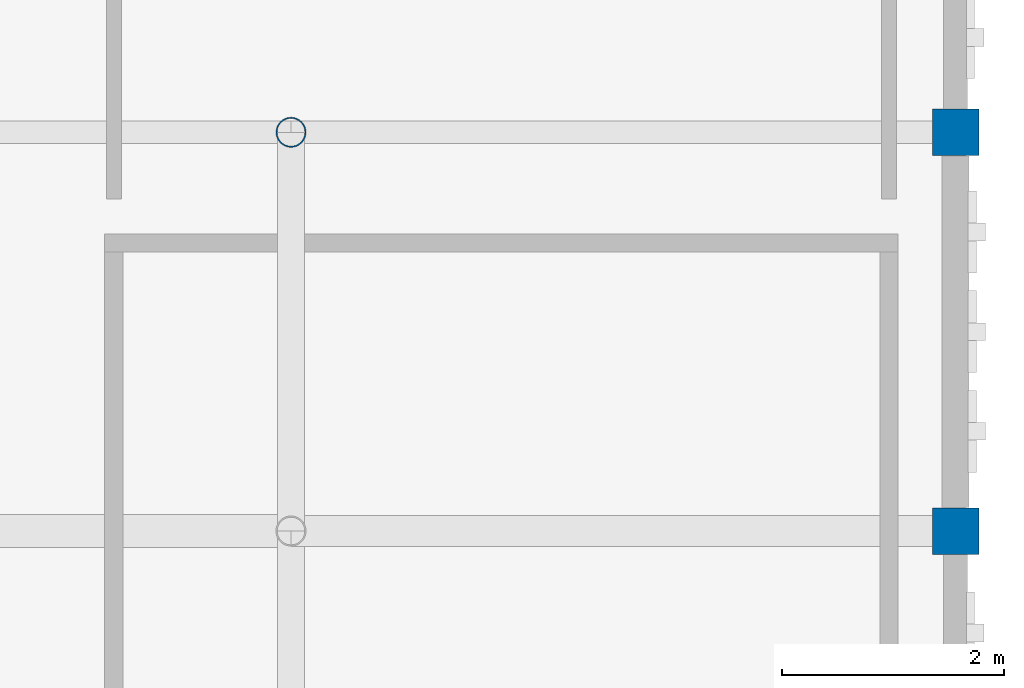
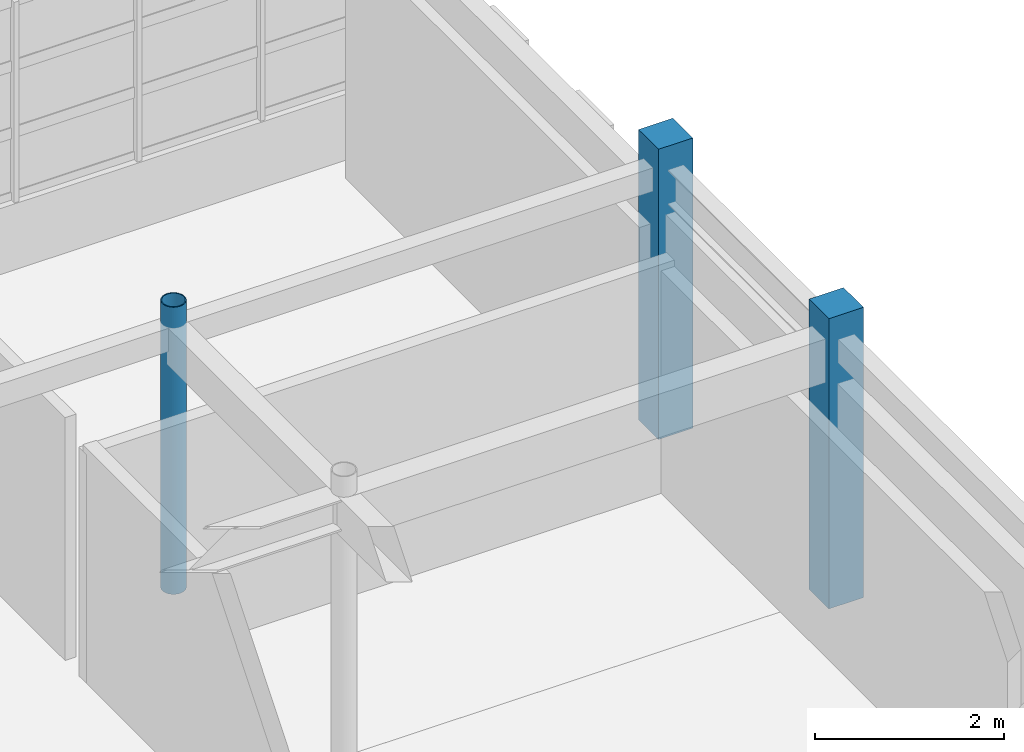
# One storey, part 8 of 46: 3 columns.
"""IFC4 building model written with IfcOpenShell, lengths in metres."""

from ifc_helpers import new_model, si_unit, direction, frame, origin, origin_2d, place, context, subcontext, project, spatial, rectangle, hollow_circle, extrude, material, material_profile, profile_set, type_object, element, save


model = new_model("IFC4")

# Units and contexts
model_context = context("Model", 3, precision=1e-05, world=origin(), true_north=direction((0.0, 1.0)))
body_context = subcontext(model_context, "Body", "Model", "MODEL_VIEW")
ifc_project = project(units=[si_unit("LENGTHUNIT", "METRE"), si_unit("AREAUNIT", "SQUARE_METRE"), si_unit("VOLUMEUNIT", "CUBIC_METRE"), si_unit("PLANEANGLEUNIT", "RADIAN"), si_unit("MASSUNIT", "GRAM", prefix="KILO")], contexts=[model_context])

# Site, building, storey
site_placement = place(None, origin())
site = spatial("IfcSite", under=ifc_project, at=site_placement, CompositionType="ELEMENT")
building_placement = place(site_placement, origin())
building = spatial("IfcBuilding", under=site, at=building_placement, Name="Nzembalo Square Collegiate School", CompositionType="ELEMENT")
storey_placement = place(building_placement, frame((0.0, 0.0, 17.340087890625)))
storey = spatial("IfcBuildingStorey", under=building, at=storey_placement, Name="L04", CompositionType="ELEMENT", Elevation=17.340087890625)

# Columns
ifc_material_1 = material(Name="Glulam GL28h", Category="wood")
ifc_material_profile_1 = material_profile(ifc_material_1, rectangle(XDim=0.419921875, YDim=0.419921875, at=origin_2d()), Name="GL28h 420x420")
ifc_profile_set_1 = profile_set([ifc_material_profile_1], Name="Glulam GL28h")
column_type_1 = type_object("IfcColumnType", Name="C06", PredefinedType="COLUMN", material=ifc_profile_set_1)
for number, where, z_axis, x_axis, name in (
    (1, (165.60009765625, 79.199951171875, 0.0), (0.0, 0.0, 1.0), (1.0, 0.0, 0.0), "Column C06 L04 24/L"),
    (2, (165.60009765625, 82.800048828125, 0.0), (0.0, 0.0, 1.0), (1.0, 0.0, 0.0), "Column C06 L04 24/M"),
):
    element("IfcColumn", number, at=place(storey_placement, frame(where, z_axis=z_axis, x_axis=x_axis)), inside=storey, type_object=column_type_1, Name=name, PredefinedType="COLUMN", context=body_context, shape_type="SweptSolid", body=[
        extrude(rectangle(XDim=0.419921875, YDim=0.419921875, at=origin_2d()), origin(), (0.0, 0.0, 1.0), 3.739990234375),
    ])
ifc_material_2 = material(Name="Steel S355", Category="steel")
ifc_material_profile_2 = material_profile(ifc_material_2, hollow_circle(Radius=0.136474609375, WallThickness=0.011962890625, at=origin_2d()), Name="CHS 273x12")
ifc_profile_set_2 = profile_set([ifc_material_profile_2], Name="Steel S355")
column_type_2 = type_object("IfcColumnType", Name="C09", PredefinedType="COLUMN", material=ifc_profile_set_2)
column_placement = place(storey_placement, frame((159.60009765625, 82.800048828125, 0.0), z_axis=(0.0, 0.0, 1.0), x_axis=(1.0, 0.0, 0.0)))
element("IfcColumn", 3, at=column_placement, inside=storey, type_object=column_type_2, Name="Column C09 L04 23/M", PredefinedType="COLUMN", context=body_context, shape_type="SweptSolid", body=[
    extrude(hollow_circle(Radius=0.136474609375, WallThickness=0.011962890625, at=origin_2d()), origin(), (0.0, 0.0, 1.0), 3.699951171875),
])

save(model, "model.ifc")
